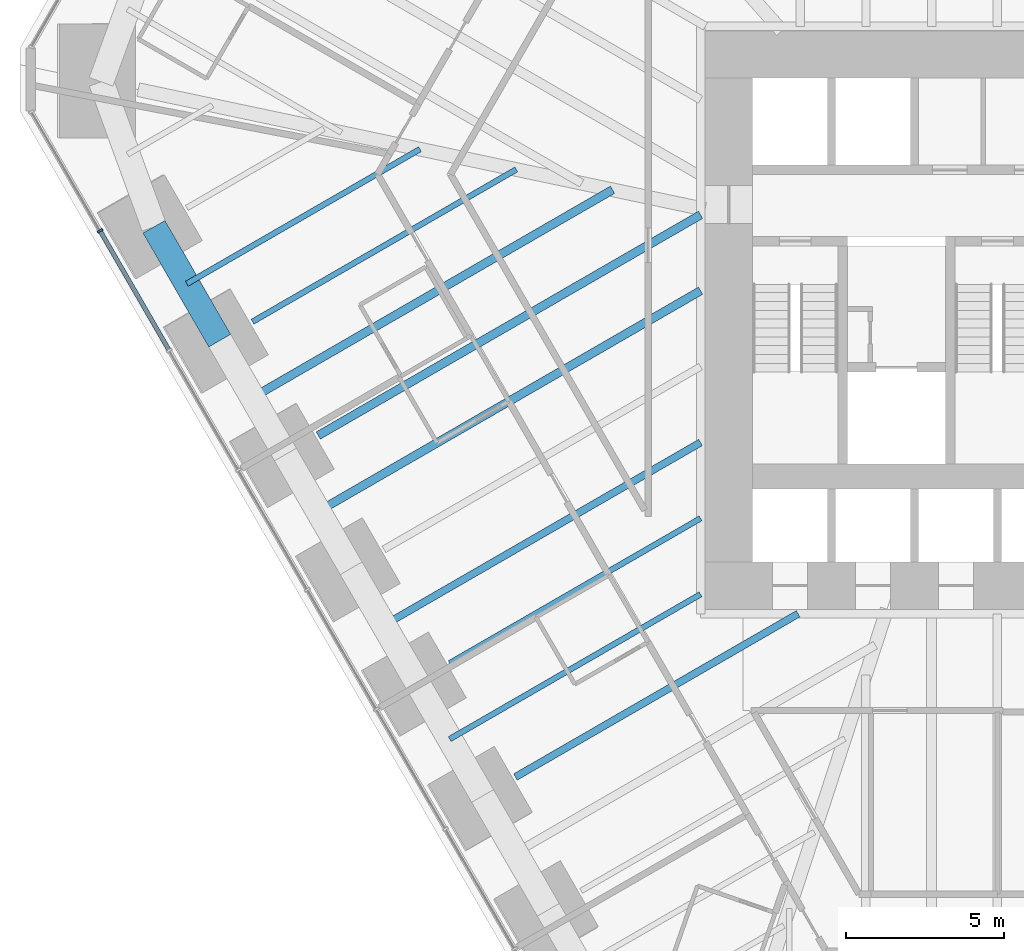
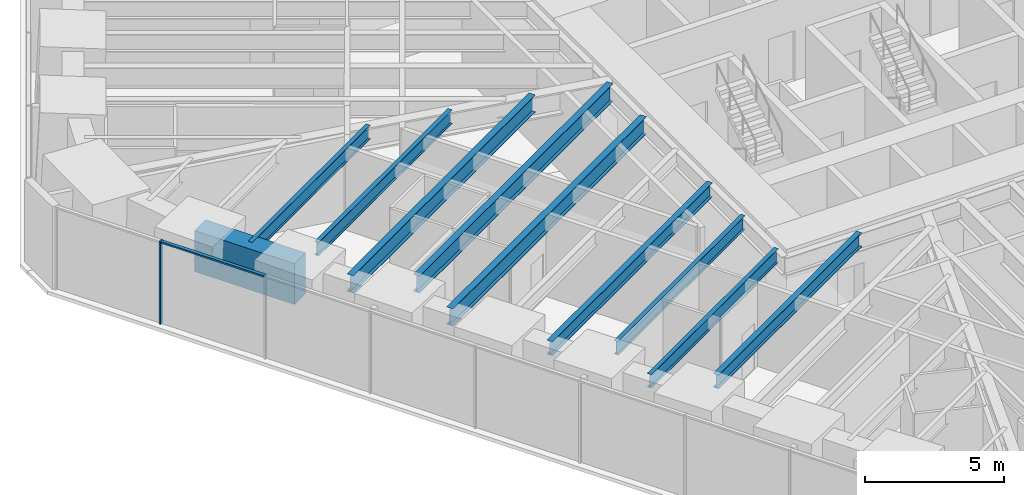
# One storey, part 3 of 17: 10 beams, 2 members, 1 element without a shape of its own.
"""IFC4 building model written with IfcOpenShell, lengths in metres."""

from ifc_helpers import new_model, si_unit, direction, frame, origin, origin_2d, place, context, subcontext, project, spatial, rectangle, i_section, extrude, material, material_profile, profile_set, type_object, element, aggregate, save


model = new_model("IFC4")

# Units and contexts
model_context = context("Model", 3, precision=1e-05, world=origin(), true_north=direction((0.0, 1.0)))
body_context = subcontext(model_context, "Body", "Model", "MODEL_VIEW")
ifc_project = project(units=[si_unit("LENGTHUNIT", "METRE"), si_unit("AREAUNIT", "SQUARE_METRE"), si_unit("VOLUMEUNIT", "CUBIC_METRE"), si_unit("PLANEANGLEUNIT", "RADIAN"), si_unit("MASSUNIT", "GRAM", prefix="KILO")], contexts=[model_context])

# Site, building, storey
site_placement = place(None, origin())
site = spatial("IfcSite", under=ifc_project, at=site_placement, CompositionType="ELEMENT")
building_placement = place(site_placement, origin())
building = spatial("IfcBuilding", under=site, at=building_placement, Name="Sandreach Pilgrim Tower", CompositionType="ELEMENT")
storey_placement = place(building_placement, frame((0.0, 0.0, 61.0)))
storey = spatial("IfcBuildingStorey", under=building, at=storey_placement, Name="L14", CompositionType="ELEMENT", Elevation=61.0)

# Curtain wall, members
ifc_material_1 = material(Name="Aluminium framed curtain wall", Category="aluminium")
curtain_wall_type = type_object("IfcCurtainWallType", Name="Hostel tower curtain wall", PredefinedType="NOTDEFINED", material=ifc_material_1)
curtain_wall_placement = place(storey_placement, origin())
curtain_wall = element("IfcCurtainWall", 1, at=curtain_wall_placement, inside=storey, type_object=curtain_wall_type, Name="CW-1 L14 SW", PredefinedType="NOTDEFINED")
ifc_material_2 = material(Name="Aluminium extrusion", Category="aluminium")
ifc_material_profile_1 = material_profile(ifc_material_2, rectangle(XDim=0.06494140625, YDim=0.179931640625, at=origin_2d()), Name="CW-1M 65X180")
ifc_profile_set_1 = profile_set([ifc_material_profile_1], Name="Aluminium extrusion")
member_type_1 = type_object("IfcMemberType", Name="CW-1 mullion", PredefinedType="MULLION", material=ifc_profile_set_1)
member_1_placement = place(storey_placement, frame((-28.390380859375, 1.2763671875, 0.0), z_axis=(0.0, 0.0, 1.0), x_axis=(-0.5, 0.866025403784, 0.0)))
member_1 = element("IfcMember", 2, at=member_1_placement, type_object=member_type_1, Name="CW-1 mullion 9", PredefinedType="MULLION", context=body_context, shape_type="SweptSolid", body=[
    extrude(rectangle(XDim=0.06494140625, YDim=0.179931640625, at=origin_2d()), origin(), (0.0, 0.0, 1.0), 3.639892578125),
])
ifc_material_3 = material(Name="Aluminium extrusion", Category="aluminium")
ifc_material_profile_2 = material_profile(ifc_material_3, rectangle(XDim=0.139892578125, YDim=0.070068359375, at=origin_2d()), Name="CW-1T 140X70")
ifc_profile_set_2 = profile_set([ifc_material_profile_2], Name="Aluminium extrusion")
member_type_2 = type_object("IfcMemberType", Name="CW-1 transom", PredefinedType="USERDEFINED", material=ifc_profile_set_2)
member_2_placement = place(storey_placement, frame((-26.220947265625, -2.4814453125, 3.60498046875), z_axis=(-0.500016891966, 0.866015650984, 0.0), x_axis=(-0.866015650984, -0.500016891966, 0.0)))
member_2 = element("IfcMember", 3, at=member_2_placement, type_object=member_type_2, Name="CW-1 head transom 8", ObjectType="TRANSOM", PredefinedType="USERDEFINED", context=body_context, shape_type="SweptSolid", body=[
    extrude(rectangle(XDim=0.139892578125, YDim=0.070068359375, at=origin_2d()), origin(), (0.0, 0.0, 1.0), 4.306396484375),
])
aggregate(curtain_wall, [member_1, member_2])

# Beams
ifc_material_4 = material(Name="Steel ASTM A992 Grade 50", Category="steel")
ifc_material_profile_3 = material_profile(ifc_material_4, i_section(OverallWidth=0.1787109375, OverallDepth=0.60205078125, WebThickness=0.010986328125, FlangeThickness=0.014892578125, at=origin_2d()), Name="W24X62")
ifc_profile_set_3 = profile_set([ifc_material_profile_3], Name="Steel ASTM A992 Grade 50")
beam_type_1 = type_object("IfcBeamType", Name="Floor beam W24X62", PredefinedType="BEAM", material=ifc_profile_set_3)
beam_1_placement = place(storey_placement, frame((-17.328369140625, -12.4052734375, 3.339111328125), z_axis=(0.866025847402, 0.499999231632, 0.0), x_axis=(-0.499999231632, 0.866025847402, 0.0)))
element("IfcBeam", 4, at=beam_1_placement, inside=storey, type_object=beam_type_1, Name="BM L14 F30", PredefinedType="BEAM", context=body_context, shape_type="SweptSolid", body=[
    extrude(i_section(OverallWidth=0.1787109375, OverallDepth=0.60205078125, WebThickness=0.010986328125, FlangeThickness=0.014892578125, at=origin_2d()), origin(), (0.0, 0.0, 1.0), 9.16259765625),
])
beam_2_placement = place(storey_placement, frame((-23.565673828125, -1.602294921875, 3.339111328125), z_axis=(0.86602604797, 0.499998884236, 0.0), x_axis=(-0.499998884236, 0.86602604797, 0.0)))
element("IfcBeam", 5, at=beam_2_placement, inside=storey, type_object=beam_type_1, Name="BM L14 F33", PredefinedType="BEAM", context=body_context, shape_type="SweptSolid", body=[
    extrude(i_section(OverallWidth=0.1787109375, OverallDepth=0.60205078125, WebThickness=0.010986328125, FlangeThickness=0.014892578125, at=origin_2d()), origin(), (0.0, 0.0, 1.0), 9.6328125),
])
beam_3_placement = place(storey_placement, frame((-17.328125, -14.8056640625, 3.339111328125), z_axis=(0.866030723977, 0.499990785043, 0.0), x_axis=(-0.499990785043, 0.866030723977, 0.0)))
element("IfcBeam", 6, at=beam_3_placement, inside=storey, type_object=beam_type_1, Name="BM L14 FM29", PredefinedType="BEAM", context=body_context, shape_type="SweptSolid", body=[
    extrude(i_section(OverallWidth=0.1787109375, OverallDepth=0.60205078125, WebThickness=0.010986328125, FlangeThickness=0.014892578125, at=origin_2d()), origin(), (0.0, 0.0, 1.0), 9.162353515625),
])
beam_4_placement = place(storey_placement, frame((-25.644287109375, -0.401611328125, 3.339111328125), z_axis=(0.866031407177, 0.499989601675, 0.0), x_axis=(-0.499989601675, 0.866031407177, 0.0)))
element("IfcBeam", 7, at=beam_4_placement, inside=storey, type_object=beam_type_1, Name="BM L14 FM33", PredefinedType="BEAM", context=body_context, shape_type="SweptSolid", body=[
    extrude(i_section(OverallWidth=0.1787109375, OverallDepth=0.60205078125, WebThickness=0.010986328125, FlangeThickness=0.014892578125, at=origin_2d()), origin(), (0.0, 0.0, 1.0), 8.517333984375),
])
ifc_material_5 = material(Name="Steel ASTM A992 Grade 50", Category="steel")
ifc_material_profile_4 = material_profile(ifc_material_5, i_section(OverallWidth=0.23046875, OverallDepth=0.6171875, WebThickness=0.01318359375, FlangeThickness=0.022216796875, at=origin_2d()), Name="W24X94")
ifc_profile_set_4 = profile_set([ifc_material_profile_4], Name="Steel ASTM A992 Grade 50")
beam_type_2 = type_object("IfcBeamType", Name="Floor beam W24X94", PredefinedType="BEAM", material=ifc_profile_set_4)
beam_5_placement = place(storey_placement, frame((-15.249267578125, -16.00634765625, 3.331298828125), z_axis=(0.866017066474, 0.500014440368, 0.0), x_axis=(-0.500014440368, 0.866017066474, 0.0)))
element("IfcBeam", 8, at=beam_5_placement, inside=storey, type_object=beam_type_2, Name="BM L14 F29", PredefinedType="BEAM", context=body_context, shape_type="SweptSolid", body=[
    extrude(i_section(OverallWidth=0.23046875, OverallDepth=0.6171875, WebThickness=0.01318359375, FlangeThickness=0.022216796875, at=origin_2d()), origin(), (0.0, 0.0, 1.0), 10.325927734375),
])
beam_6_placement = place(storey_placement, frame((-19.4072265625, -11.204833984375, 3.331298828125), z_axis=(0.866027012793, 0.499997213105, 0.0), x_axis=(-0.499997213105, 0.866027012793, 0.0)))
element("IfcBeam", 9, at=beam_6_placement, inside=storey, type_object=beam_type_2, Name="BM L14 FM30", PredefinedType="BEAM", context=body_context, shape_type="SweptSolid", body=[
    extrude(i_section(OverallWidth=0.23046875, OverallDepth=0.6171875, WebThickness=0.01318359375, FlangeThickness=0.022216796875, at=origin_2d()), origin(), (0.0, 0.0, 1.0), 11.56298828125),
])
ifc_material_6 = material(Name="Steel ASTM A992 Grade 50", Category="steel")
ifc_material_profile_5 = material_profile(ifc_material_6, i_section(OverallWidth=0.2666015625, OverallDepth=0.761962890625, WebThickness=0.014404296875, FlangeThickness=0.021484375, at=origin_2d()), Name="W30X116")
ifc_profile_set_5 = profile_set([ifc_material_profile_5], Name="Steel ASTM A992 Grade 50")
beam_type_3 = type_object("IfcBeamType", Name="Floor beam W30X116", PredefinedType="BEAM", material=ifc_profile_set_5)
beam_7_placement = place(storey_placement, frame((-21.486572265625, -5.203125, 3.259033203125), z_axis=(0.86602894857, 0.499993860201, 0.0), x_axis=(-0.499993860201, 0.86602894857, 0.0)))
element("IfcBeam", 10, at=beam_7_placement, inside=storey, type_object=beam_type_3, Name="BM L14 F32", PredefinedType="BEAM", context=body_context, shape_type="SweptSolid", body=[
    extrude(i_section(OverallWidth=0.2666015625, OverallDepth=0.761962890625, WebThickness=0.014404296875, FlangeThickness=0.021484375, at=origin_2d()), origin(), (0.0, 0.0, 1.0), 13.964111328125),
])
beam_8_placement = place(storey_placement, frame((-21.486328125, -7.603759765625, 3.259033203125), z_axis=(0.866024577697, 0.500001430823, 0.0), x_axis=(-0.500001430823, 0.866024577697, 0.0)))
element("IfcBeam", 11, at=beam_8_placement, inside=storey, type_object=beam_type_3, Name="BM L14 FM31", PredefinedType="BEAM", context=body_context, shape_type="SweptSolid", body=[
    extrude(i_section(OverallWidth=0.2666015625, OverallDepth=0.761962890625, WebThickness=0.014404296875, FlangeThickness=0.021484375, at=origin_2d()), origin(), (0.0, 0.0, 1.0), 13.9638671875),
])
beam_9_placement = place(storey_placement, frame((-23.565185546875, -4.002685546875, 3.259033203125), z_axis=(0.866025719009, 0.499999454014, 0.0), x_axis=(-0.499999454014, 0.866025719009, 0.0)))
element("IfcBeam", 12, at=beam_9_placement, inside=storey, type_object=beam_type_3, Name="BM L14 FM32", PredefinedType="BEAM", context=body_context, shape_type="SweptSolid", body=[
    extrude(i_section(OverallWidth=0.2666015625, OverallDepth=0.761962890625, WebThickness=0.014404296875, FlangeThickness=0.021484375, at=origin_2d()), origin(), (0.0, 0.0, 1.0), 13.14794921875),
])
ifc_material_7 = material(Name="Concrete 10000 psi", Category="concrete")
ifc_material_profile_6 = material_profile(ifc_material_7, rectangle(XDim=0.800048828125, YDim=1.800048828125, at=origin_2d()), Name="RC800X1800")
ifc_profile_set_6 = profile_set([ifc_material_profile_6], Name="Concrete 10000 psi")
beam_type_4 = type_object("IfcBeamType", Name="Spandrel beam RC800X1800", PredefinedType="SPANDREL", material=ifc_profile_set_6)
beam_10_placement = place(storey_placement, frame((-24.604736328125, -2.2021484375, 2.739990234375), z_axis=(-0.500003678222, 0.866023280152, 0.0), x_axis=(-0.866023280152, -0.500003678222, 0.0)))
element("IfcBeam", 13, at=beam_10_placement, inside=storey, type_object=beam_type_4, Name="BM L14 SP33", PredefinedType="SPANDREL", context=body_context, shape_type="SweptSolid", body=[
    extrude(rectangle(XDim=0.800048828125, YDim=1.800048828125, at=origin_2d()), origin(), (0.0, 0.0, 1.0), 4.158203125),
])

save(model, "model.ifc")
